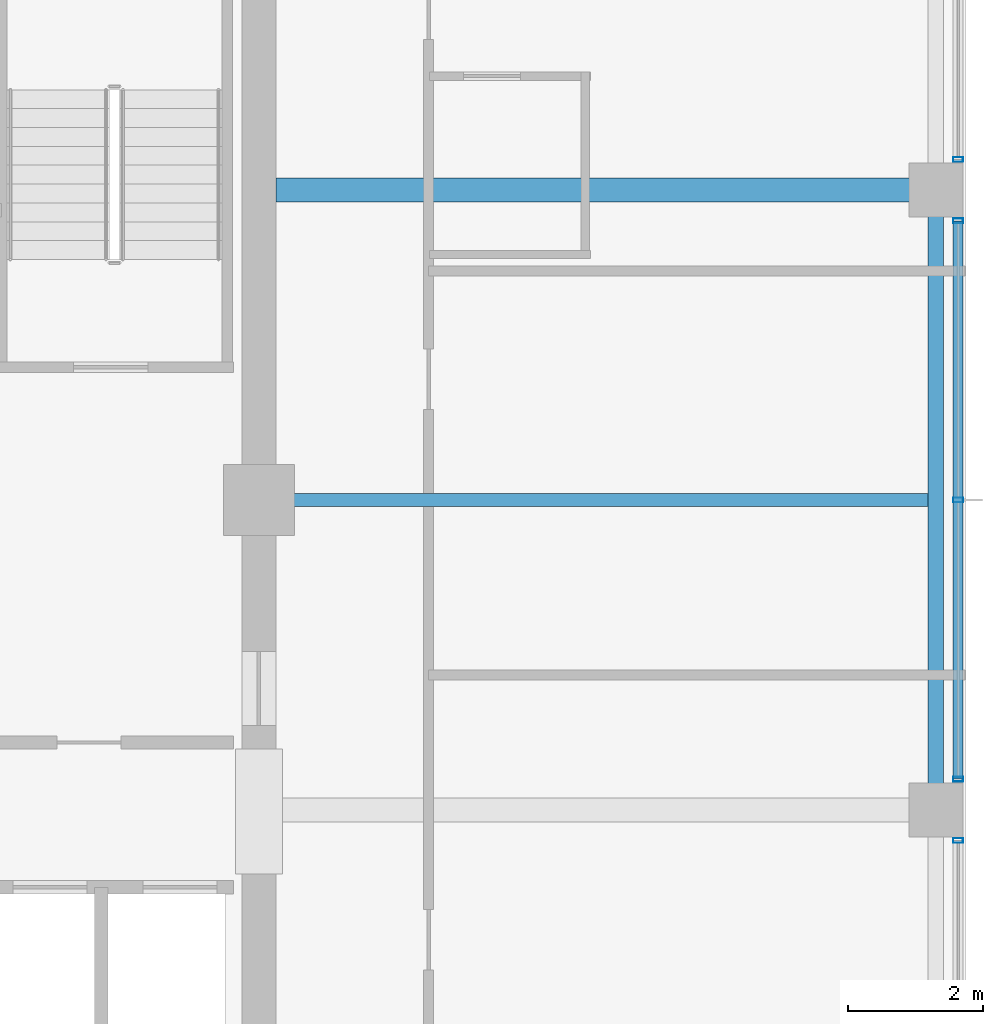
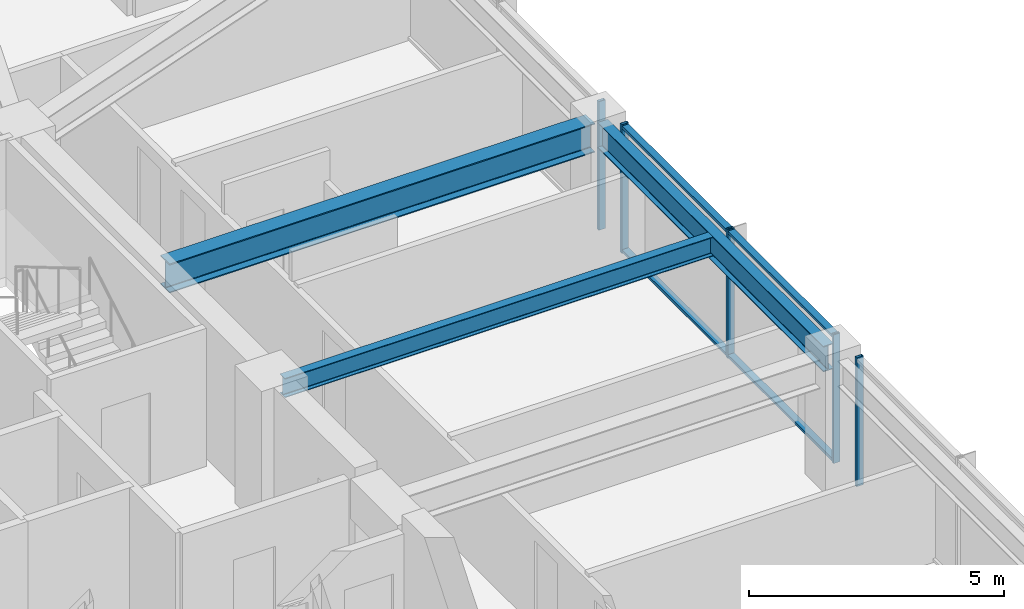
# One storey, part 13 of 36: 7 members, 3 beams, 3 elements without a shape of their own.
"""IFC4 building model written with IfcOpenShell, lengths in metres."""

from ifc_helpers import new_model, si_unit, direction, frame, origin, origin_2d, place, context, subcontext, project, spatial, hollow_rectangle, i_section, extrude, material, material_profile, profile_set, type_object, element, aggregate, save


model = new_model("IFC4")

# Units and contexts
model_context = context("Model", 3, precision=1e-05, world=origin(), true_north=direction((0.0, 1.0)))
body_context = subcontext(model_context, "Body", "Model", "MODEL_VIEW")
ifc_project = project(units=[si_unit("LENGTHUNIT", "METRE"), si_unit("AREAUNIT", "SQUARE_METRE"), si_unit("VOLUMEUNIT", "CUBIC_METRE"), si_unit("PLANEANGLEUNIT", "RADIAN"), si_unit("MASSUNIT", "GRAM", prefix="KILO")], contexts=[model_context])

# Site, building, storey
site_placement = place(None, origin())
site = spatial("IfcSite", under=ifc_project, at=site_placement, CompositionType="ELEMENT")
building_placement = place(site_placement, origin())
building = spatial("IfcBuilding", under=site, at=building_placement, Name="Kolvaren Belvedere", CompositionType="ELEMENT")
storey_placement = place(building_placement, frame((0.0, 0.0, 196.5)))
storey = spatial("IfcBuildingStorey", under=building, at=storey_placement, Name="L57", CompositionType="ELEMENT", Elevation=196.5)

# Beams
ifc_material_1 = material(Name="Structural steel ASTM A992 Grade 50", Category="steel")
ifc_material_profile_1 = material_profile(ifc_material_1, i_section(OverallWidth=0.35498046875, OverallDepth=0.696044921875, WebThickness=0.015380859375, FlangeThickness=0.02490234375, FilletRadius=0.02197265625, at=origin_2d()), Name="W27X146")
ifc_profile_set_1 = profile_set([ifc_material_profile_1], Name="Structural steel ASTM A992 Grade 50")
beam_type_1 = type_object("IfcBeamType", Name="BM-GIRD-W27X146", PredefinedType="BEAM", material=ifc_profile_set_1)
beam_1_placement = place(storey_placement, frame((10.14990234375, 4.60009765625, 2.73193359375), z_axis=(1.0, 0.0, 0.0), x_axis=(0.0, 1.0, 0.0)))
element("IfcBeam", 1, at=beam_1_placement, inside=storey, type_object=beam_type_1, Name="L57 East Radial Girder P", PredefinedType="BEAM", context=body_context, shape_type="SweptSolid", body=[
    extrude(i_section(OverallWidth=0.35498046875, OverallDepth=0.696044921875, WebThickness=0.015380859375, FlangeThickness=0.02490234375, FilletRadius=0.02197265625, at=origin_2d()), origin(), (0.0, 0.0, 1.0), 9.6201171875),
])
ifc_material_2 = material(Name="Structural steel ASTM A992 Grade 50", Category="steel")
ifc_material_profile_2 = material_profile(ifc_material_2, i_section(OverallWidth=0.19091796875, OverallDepth=0.4599609375, WebThickness=0.010009765625, FlangeThickness=0.01611328125, FilletRadius=0.014892578125, at=origin_2d()), Name="W18X55")
ifc_profile_set_2 = profile_set([ifc_material_profile_2], Name="Structural steel ASTM A992 Grade 50")
beam_type_2 = type_object("IfcBeamType", Name="BM-JOIST-W18X55", PredefinedType="BEAM", material=ifc_profile_set_2)
beam_2_placement = place(storey_placement, frame((10.14990234375, 0.0, 2.85009765625), z_axis=(1.0, 0.0, 0.0), x_axis=(0.0, 1.0, 0.0)))
element("IfcBeam", 2, at=beam_2_placement, inside=storey, type_object=beam_type_2, Name="L57 East Centre Floor Beam", PredefinedType="BEAM", context=body_context, shape_type="SweptSolid", body=[
    extrude(i_section(OverallWidth=0.19091796875, OverallDepth=0.4599609375, WebThickness=0.010009765625, FlangeThickness=0.01611328125, FilletRadius=0.014892578125, at=origin_2d()), origin(), (0.0, 0.0, 1.0), 9.685546875),
])
ifc_material_3 = material(Name="Structural steel ASTM A992 Grade 50", Category="steel")
ifc_material_profile_3 = material_profile(ifc_material_3, i_section(OverallWidth=0.22900390625, OverallDepth=0.612060546875, WebThickness=0.011962890625, FlangeThickness=0.01953125, FilletRadius=0.01806640625, at=origin_2d()), Name="W24X84")
ifc_profile_set_3 = profile_set([ifc_material_profile_3], Name="Structural steel ASTM A992 Grade 50")
beam_type_3 = type_object("IfcBeamType", Name="BM-SPAN-W24X84", PredefinedType="SPANDREL", material=ifc_profile_set_3)
beam_3_placement = place(storey_placement, frame((19.949951171875, -4.419921875, 2.77392578125), z_axis=(0.0, 1.0, 0.0), x_axis=(-1.0, 0.0, 0.0)))
element("IfcBeam", 3, at=beam_3_placement, inside=storey, type_object=beam_type_3, Name="L57 Perimeter Spandrel E2-E3", PredefinedType="SPANDREL", context=body_context, shape_type="SweptSolid", body=[
    extrude(i_section(OverallWidth=0.22900390625, OverallDepth=0.612060546875, WebThickness=0.011962890625, FlangeThickness=0.01953125, FilletRadius=0.01806640625, at=origin_2d()), origin(), (0.0, 0.0, 1.0), 8.83984375),
])

# Curtain wall, member
ifc_material_4 = material(Name="Anodised pale-metal aluminium AA 6063-T6", Category="aluminium")
curtain_wall_type = type_object("IfcCurtainWallType", Name="CW-Z5-HIGH", PredefinedType="NOTDEFINED", material=ifc_material_4)
curtain_wall_1_placement = place(storey_placement, origin())
curtain_wall_1 = element("IfcCurtainWall", 4, at=curtain_wall_1_placement, inside=storey, type_object=curtain_wall_type, Name="L57 Unitised Curtain Wall FCW-L57-E-B1", PredefinedType="NOTDEFINED")
ifc_material_5 = material(Name="Anodised pale-metal aluminium AA 6063-T6", Category="aluminium")
ifc_material_profile_4 = material_profile(ifc_material_5, hollow_rectangle(XDim=0.070068359375, YDim=0.14990234375, WallThickness=0.004150390625, at=origin_2d()), Name="ALU-MUL-150X70")
ifc_profile_set_4 = profile_set([ifc_material_profile_4], Name="Anodised pale-metal aluminium AA 6063-T6")
member_type_1 = type_object("IfcMemberType", Name="CW-MUL-150", PredefinedType="MULLION", material=ifc_profile_set_4)
member_1_placement = place(storey_placement, frame((20.280029296875, 5.054931640625, 0.0), z_axis=(0.0, 0.0, 1.0), x_axis=(0.0, 1.0, 0.0)))
member_1 = element("IfcMember", 5, at=member_1_placement, type_object=member_type_1, Name="FCW-L57-E-B1 Unitised Mullion 3", PredefinedType="MULLION", context=body_context, shape_type="SweptSolid", body=[
    extrude(hollow_rectangle(XDim=0.070068359375, YDim=0.14990234375, WallThickness=0.004150390625, at=origin_2d()), origin(), (0.0, 0.0, 1.0), 3.080078125),
])
aggregate(curtain_wall_1, [member_1])

# Curtain wall, members
curtain_wall_2_placement = place(storey_placement, origin())
curtain_wall_2 = element("IfcCurtainWall", 6, at=curtain_wall_2_placement, inside=storey, type_object=curtain_wall_type, Name="L57 Unitised Curtain Wall FCW-L57-E-B2", PredefinedType="NOTDEFINED")
member_2_placement = place(storey_placement, frame((20.280029296875, 4.14501953125, 0.0), z_axis=(0.0, 0.0, 1.0), x_axis=(0.0, 1.0, 0.0)))
member_2 = element("IfcMember", 7, at=member_2_placement, type_object=member_type_1, Name="FCW-L57-E-B2 Unitised Mullion 1", PredefinedType="MULLION", context=body_context, shape_type="SweptSolid", body=[
    extrude(hollow_rectangle(XDim=0.070068359375, YDim=0.14990234375, WallThickness=0.004150390625, at=origin_2d()), origin(), (0.0, 0.0, 1.0), 3.080078125),
])
member_3_placement = place(storey_placement, frame((20.280029296875, 0.0, 0.0), z_axis=(0.0, 0.0, 1.0), x_axis=(0.0, 1.0, 0.0)))
member_3 = element("IfcMember", 8, at=member_3_placement, type_object=member_type_1, Name="FCW-L57-E-B2 Unitised Mullion 2", PredefinedType="MULLION", context=body_context, shape_type="SweptSolid", body=[
    extrude(hollow_rectangle(XDim=0.070068359375, YDim=0.14990234375, WallThickness=0.004150390625, at=origin_2d()), origin(), (0.0, 0.0, 1.0), 3.080078125),
])
member_4_placement = place(storey_placement, frame((20.280029296875, -4.14501953125, 0.0), z_axis=(0.0, 0.0, 1.0), x_axis=(0.0, 1.0, 0.0)))
member_4 = element("IfcMember", 9, at=member_4_placement, type_object=member_type_1, Name="FCW-L57-E-B2 Unitised Mullion 3", PredefinedType="MULLION", context=body_context, shape_type="SweptSolid", body=[
    extrude(hollow_rectangle(XDim=0.070068359375, YDim=0.14990234375, WallThickness=0.004150390625, at=origin_2d()), origin(), (0.0, 0.0, 1.0), 3.080078125),
])

# Curtain wall, member
curtain_wall_3_placement = place(storey_placement, origin())
curtain_wall_3 = element("IfcCurtainWall", 10, at=curtain_wall_3_placement, inside=storey, type_object=curtain_wall_type, Name="L57 Unitised Curtain Wall FCW-L57-E-B3", PredefinedType="NOTDEFINED")
member_5_placement = place(storey_placement, frame((20.280029296875, -5.054931640625, 0.0), z_axis=(0.0, 0.0, 1.0), x_axis=(0.0, 1.0, 0.0)))
member_5 = element("IfcMember", 11, at=member_5_placement, type_object=member_type_1, Name="FCW-L57-E-B3 Unitised Mullion 1", PredefinedType="MULLION", context=body_context, shape_type="SweptSolid", body=[
    extrude(hollow_rectangle(XDim=0.070068359375, YDim=0.14990234375, WallThickness=0.004150390625, at=origin_2d()), origin(), (0.0, 0.0, 1.0), 3.080078125),
])
aggregate(curtain_wall_3, [member_5])

# Member
ifc_material_6 = material(Name="Anodised pale-metal aluminium AA 6063-T6", Category="aluminium")
ifc_material_profile_5 = material_profile(ifc_material_6, hollow_rectangle(XDim=0.06494140625, YDim=0.14990234375, WallThickness=0.00390625, at=origin_2d()), Name="ALU-TRN-150X65")
ifc_profile_set_5 = profile_set([ifc_material_profile_5], Name="Anodised pale-metal aluminium AA 6063-T6")
member_type_2 = type_object("IfcMemberType", Name="CW-TRN-150", PredefinedType="USERDEFINED", material=ifc_profile_set_5)
member_6_placement = place(storey_placement, frame((20.280029296875, 4.14501953125, 0.06005859375), z_axis=(0.0, -1.0, 0.0), x_axis=(0.0, 0.0, 1.0)))
member_6 = element("IfcMember", 12, at=member_6_placement, type_object=member_type_2, Name="FCW-L57-E-B2 Sill Transom", ObjectType="TRANSOM", PredefinedType="USERDEFINED", context=body_context, shape_type="SweptSolid", body=[
    extrude(hollow_rectangle(XDim=0.06494140625, YDim=0.14990234375, WallThickness=0.00390625, at=origin_2d()), origin(), (0.0, 0.0, 1.0), 8.2900390625),
])

member_7_placement = place(storey_placement, frame((20.280029296875, 4.14501953125, 3.02001953125), z_axis=(0.0, -1.0, 0.0), x_axis=(0.0, 0.0, 1.0)))
member_7 = element("IfcMember", 13, at=member_7_placement, type_object=member_type_2, Name="FCW-L57-E-B2 Head Transom", ObjectType="TRANSOM", PredefinedType="USERDEFINED", context=body_context, shape_type="SweptSolid", body=[
    extrude(hollow_rectangle(XDim=0.06494140625, YDim=0.14990234375, WallThickness=0.00390625, at=origin_2d()), origin(), (0.0, 0.0, 1.0), 8.2900390625),
])

aggregate(curtain_wall_2, [member_2, member_3, member_4, member_6, member_7])

save(model, "model.ifc")
